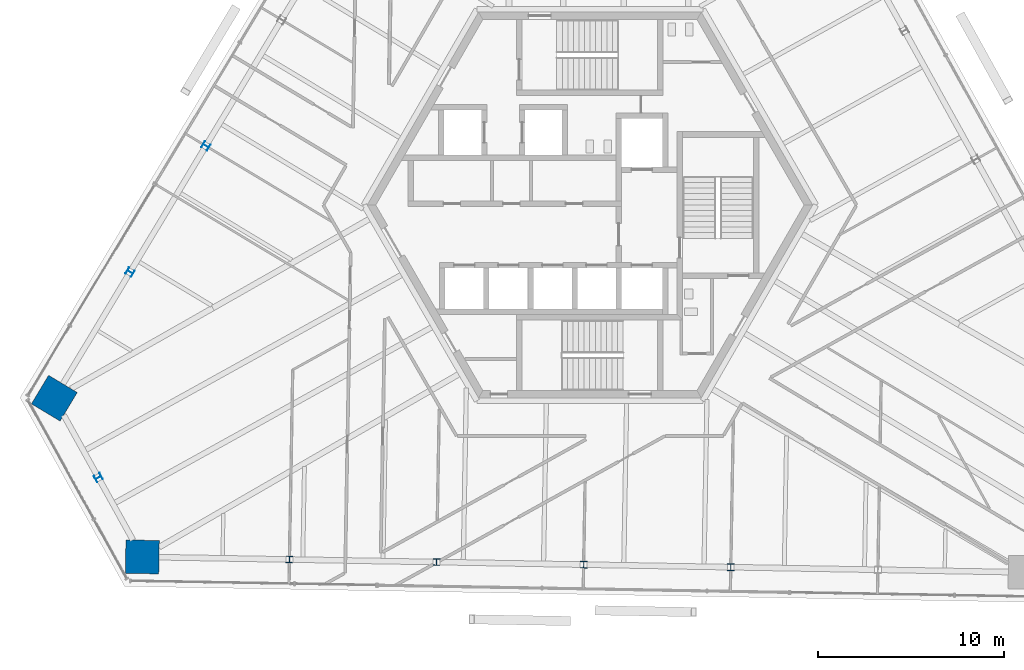
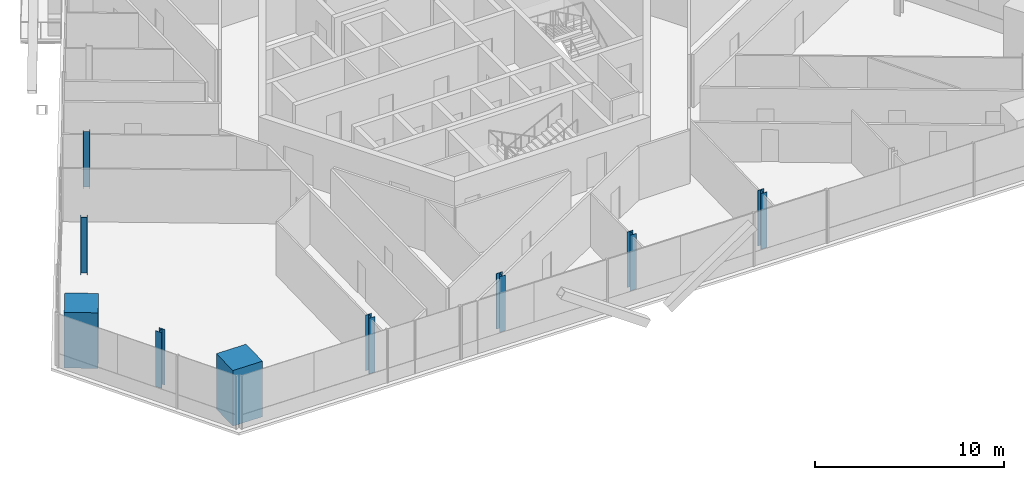
# One storey, part 1 of 18: 9 columns.
"""IFC4 building model written with IfcOpenShell, lengths in metres."""

from ifc_helpers import new_model, si_unit, direction, frame, origin, origin_2d, place, context, subcontext, project, spatial, rectangle, i_section, extrude, source, transform, mapped, material, material_profile, profile_set, type_object, element, save


model = new_model("IFC4")

# Units and contexts
model_context = context("Model", 3, precision=1e-05, world=origin(), true_north=direction((0.0, 1.0)))
body_context = subcontext(model_context, "Body", "Model", "MODEL_VIEW")
ifc_project = project(units=[si_unit("LENGTHUNIT", "METRE"), si_unit("AREAUNIT", "SQUARE_METRE"), si_unit("VOLUMEUNIT", "CUBIC_METRE"), si_unit("PLANEANGLEUNIT", "RADIAN"), si_unit("MASSUNIT", "GRAM", prefix="KILO")], contexts=[model_context])

# Site, building, storey
site_placement = place(None, origin())
site = spatial("IfcSite", under=ifc_project, at=site_placement, CompositionType="ELEMENT")
building_placement = place(site_placement, origin())
building = spatial("IfcBuilding", under=site, at=building_placement, Name="Triune Harvest Tower", CompositionType="ELEMENT")
storey_placement = place(building_placement, frame((0.0, 0.0, 197.89990234375)))
storey = spatial("IfcBuildingStorey", under=building, at=storey_placement, Name="L51", CompositionType="ELEMENT", Elevation=197.89990234375)

# Columns
ifc_material_1 = material(Name="Concrete 70 MPa", Category="concrete")
ifc_material_profile_1 = material_profile(ifc_material_1, rectangle(XDim=1.800048828125, YDim=1.800048828125, at=origin_2d()), Name="Composite 1800x1800")
ifc_profile_set_1 = profile_set([ifc_material_profile_1], Name="Concrete 70 MPa")
column_type_1 = type_object("IfcColumnType", Name="MC-5 Mega column Composite 1800x1800", PredefinedType="COLUMN", material=ifc_profile_set_1)
shared_shape_1 = source(origin(), body_context, "Body", "SweptSolid", [
    extrude(rectangle(XDim=1.800048828125, YDim=1.800048828125, at=origin_2d()), origin(), (0.0, 0.0, 1.0), 3.60009765625),
])
for number, where, z_axis, x_axis, name in (
    (1, (-28.85595703125, -10.406005859375, 0.0), (0.0, 0.0, 1.0), (-0.51503657887, -0.857168199612, 0.0), "col/L51/M14"),
    (2, (-24.1162109375, -18.956787109375, 0.0), (0.0, 0.0, 1.0), (0.999847695156, -0.017452406437, 0.0), "col/L51/M16"),
):
    element("IfcColumn", number, at=place(storey_placement, frame(where, z_axis=z_axis, x_axis=x_axis)), inside=storey, type_object=column_type_1, Name=name, PredefinedType="COLUMN", context=body_context, shape_type="MappedRepresentation", body=[
        mapped(shared_shape_1, transform((0.0, 0.0, 0.0), scale=1.0)),
    ])
ifc_material_2 = material(Name="Steel ASTM A992 Gr 50", Category="steel")
ifc_material_profile_2 = material_profile(ifc_material_2, i_section(OverallWidth=0.370849609375, OverallDepth=0.36328125, WebThickness=0.013427734375, FlangeThickness=0.021728515625, at=origin_2d()), Name="W14x109")
ifc_profile_set_2 = profile_set([ifc_material_profile_2], Name="Steel ASTM A992 Gr 50")
column_type_2 = type_object("IfcColumnType", Name="PC-5 Perimeter column W14x109", PredefinedType="COLUMN", material=ifc_profile_set_2)
shared_shape_2 = source(origin(), body_context, "Body", "SweptSolid", [
    extrude(i_section(OverallWidth=0.370849609375, OverallDepth=0.36328125, WebThickness=0.013427734375, FlangeThickness=0.021728515625, at=origin_2d()), origin(), (0.0, 0.0, 1.0), 3.60009765625),
])
for number, where, z_axis, x_axis, name in (
    (3, (-20.6904296875, 3.183837890625, 0.0), (0.0, 0.0, 1.0), (-0.51503657887, -0.857168199612, 0.0), "col/L51/P12"),
    (4, (-24.773193359375, -3.611083984375, 0.0), (0.0, 0.0, 1.0), (-0.51503657887, -0.857168199612, 0.0), "col/L51/P13"),
    (5, (-26.486083984375, -14.681396484375, 0.0), (0.0, 0.0, 1.0), (0.484808093746, -0.87462055329, 0.0), "col/L51/P15"),
    (6, (-16.190185546875, -19.09521484375, 0.0), (0.0, 0.0, 1.0), (0.999847695156, -0.017452406437, 0.0), "col/L51/P17"),
    (7, (-8.26416015625, -19.233642578125, 0.0), (0.0, 0.0, 1.0), (0.999847695156, -0.017452406437, 0.0), "col/L51/P18"),
    (8, (-0.338134765625, -19.3720703125, 0.0), (0.0, 0.0, 1.0), (0.999847695156, -0.017452406437, 0.0), "col/L51/P19"),
    (9, (7.587890625, -19.510498046875, 0.0), (0.0, 0.0, 1.0), (0.999847695156, -0.017452406437, 0.0), "col/L51/P20"),
):
    element("IfcColumn", number, at=place(storey_placement, frame(where, z_axis=z_axis, x_axis=x_axis)), inside=storey, type_object=column_type_2, Name=name, PredefinedType="COLUMN", context=body_context, shape_type="MappedRepresentation", body=[
        mapped(shared_shape_2, transform((0.0, 0.0, 0.0), scale=1.0)),
    ])

save(model, "model.ifc")
